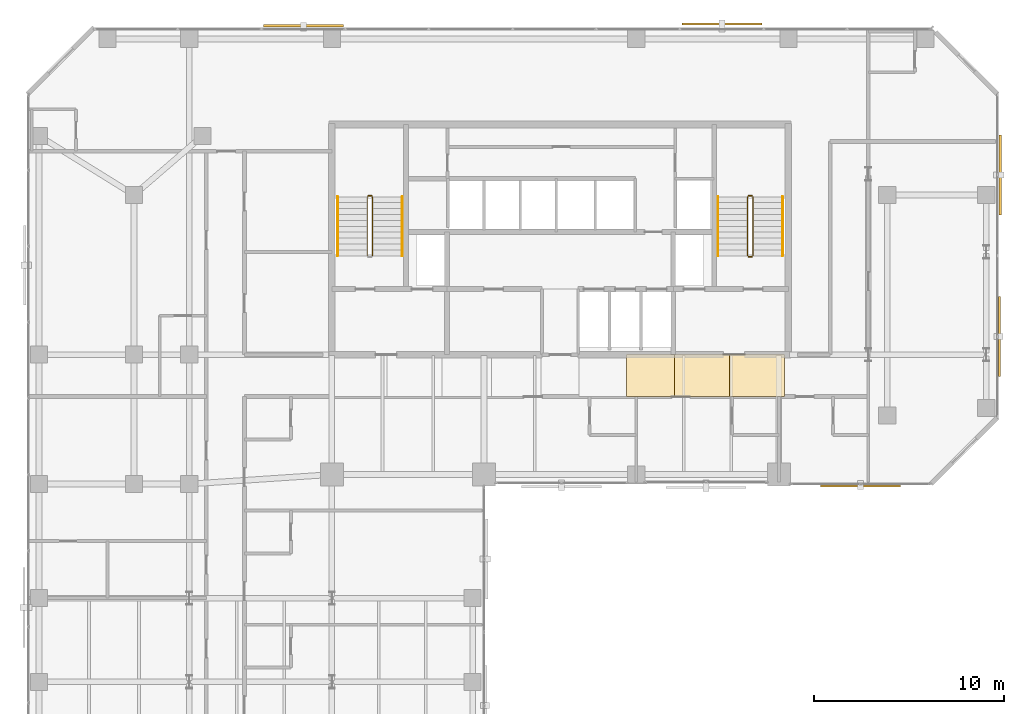
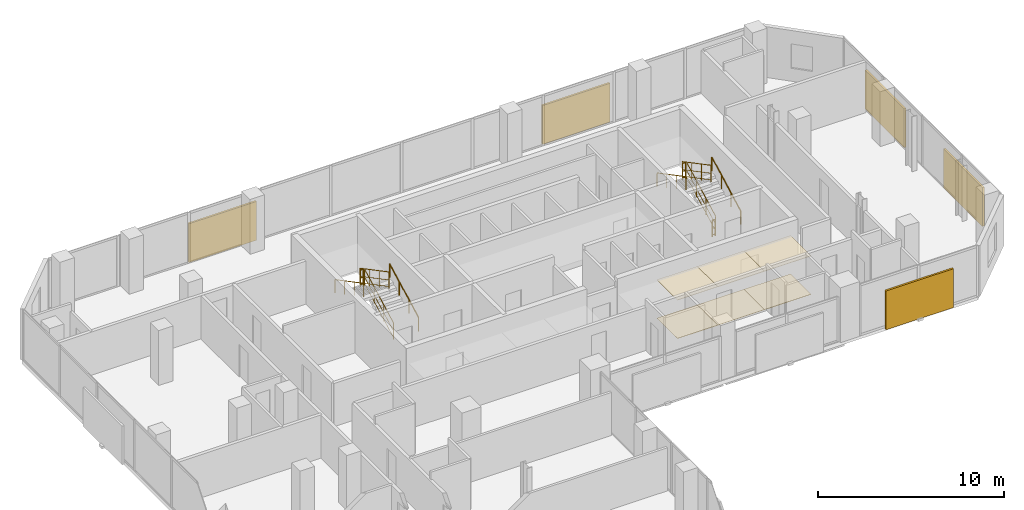
# One storey, part 34 of 34: 11 railings, 6 coverings, 5 shading devices.
"""IFC4 building model written with IfcOpenShell, lengths in metres."""

from ifc_helpers import new_model, si_unit, direction, frame, origin, origin_2d, place, context, subcontext, project, spatial, polyline, rectangle, circle, outline, extrude, material, layer, layer_set, type_object, element, save


model = new_model("IFC4")

# Units and contexts
model_context = context("Model", 3, precision=1e-05, world=origin(), true_north=direction((0.0, 1.0)))
body_context = subcontext(model_context, "Body", "Model", "MODEL_VIEW")
ifc_project = project(units=[si_unit("LENGTHUNIT", "METRE"), si_unit("AREAUNIT", "SQUARE_METRE"), si_unit("VOLUMEUNIT", "CUBIC_METRE"), si_unit("PLANEANGLEUNIT", "RADIAN"), si_unit("MASSUNIT", "GRAM", prefix="KILO")], contexts=[model_context])

# Site, building, storey
site_placement = place(None, origin())
site = spatial("IfcSite", under=ifc_project, at=site_placement, CompositionType="ELEMENT")
building_placement = place(site_placement, origin())
building = spatial("IfcBuilding", under=site, at=building_placement, Name="Catumbela Crestline Tower", CompositionType="ELEMENT")
storey_placement = place(building_placement, frame((0.0, 0.0, 97.2)))
storey = spatial("IfcBuildingStorey", under=building, at=storey_placement, Name="L24", CompositionType="ELEMENT", Elevation=97.2)

# Coverings
ifc_material_1 = material(Name="Mineral-fibre acoustic ceiling")
ifc_layer_1 = layer(ifc_material_1, 0.03, Name="Mineral-fibre acoustic ceiling")
ifc_layer_set_1 = layer_set([ifc_layer_1], Name="Mineral-fibre acoustic ceiling")
covering_type_1 = type_object("IfcCoveringType", Name="CC-AC", PredefinedType="CEILING", material=ifc_layer_set_1)
covering_1_placement = place(storey_placement, frame((0.0, 0.0, 2.52)))
element("IfcCovering", 1, at=covering_1_placement, inside=storey, type_object=covering_type_1, Name="L24 Corridor Acoustic Ceiling Bay 6", PredefinedType="CEILING", context=body_context, shape_type="SweptSolid", body=[
    extrude(outline(polyline([(31.5, 28.6), (34.0, 28.6), (34.0, 30.8), (31.5, 30.8), (31.5, 28.6)])), origin(), (0.0, 0.0, 1.0), 0.03),
])
covering_2_placement = place(storey_placement, frame((0.0, 0.0, 2.52)))
element("IfcCovering", 2, at=covering_2_placement, inside=storey, type_object=covering_type_1, Name="L24 Corridor Acoustic Ceiling Bay 7", PredefinedType="CEILING", context=body_context, shape_type="SweptSolid", body=[
    extrude(outline(polyline([(34.0, 28.6), (36.9, 28.6), (36.9, 30.8), (34.0, 30.8), (34.0, 28.6)])), origin(), (0.0, 0.0, 1.0), 0.03),
])
covering_3_placement = place(storey_placement, frame((0.0, 0.0, 2.52)))
element("IfcCovering", 3, at=covering_3_placement, inside=storey, type_object=covering_type_1, Name="L24 Corridor Acoustic Ceiling Bay 8", PredefinedType="CEILING", context=body_context, shape_type="SweptSolid", body=[
    extrude(outline(polyline([(36.9, 28.6), (39.8, 28.6), (39.8, 30.8), (36.9, 30.8), (36.9, 28.6)])), origin(), (0.0, 0.0, 1.0), 0.03),
])
ifc_material_2 = material(Name="Angolan grey-ochre granite", Category="masonry")
ifc_layer_2 = layer(ifc_material_2, 0.025, Name="Angolan grey-ochre granite")
ifc_layer_set_2 = layer_set([ifc_layer_2], Name="Angolan grey-ochre granite")
covering_type_2 = type_object("IfcCoveringType", Name="CF-GR", PredefinedType="FLOORING", material=ifc_layer_set_2)
covering_4_placement = place(storey_placement, origin())
element("IfcCovering", 4, at=covering_4_placement, inside=storey, type_object=covering_type_2, Name="L24 Corridor Granite Flooring Bay 6", PredefinedType="FLOORING", context=body_context, shape_type="SweptSolid", body=[
    extrude(outline(polyline([(31.5, 28.6), (34.0, 28.6), (34.0, 30.8), (31.5, 30.8), (31.5, 28.6)])), origin(), (0.0, 0.0, 1.0), 0.025),
])
covering_5_placement = place(storey_placement, origin())
element("IfcCovering", 5, at=covering_5_placement, inside=storey, type_object=covering_type_2, Name="L24 Corridor Granite Flooring Bay 7", PredefinedType="FLOORING", context=body_context, shape_type="SweptSolid", body=[
    extrude(outline(polyline([(34.0, 28.6), (36.9, 28.6), (36.9, 30.8), (34.0, 30.8), (34.0, 28.6)])), origin(), (0.0, 0.0, 1.0), 0.025),
])
covering_6_placement = place(storey_placement, origin())
element("IfcCovering", 6, at=covering_6_placement, inside=storey, type_object=covering_type_2, Name="L24 Corridor Granite Flooring Bay 8", PredefinedType="FLOORING", context=body_context, shape_type="SweptSolid", body=[
    extrude(outline(polyline([(36.9, 28.6), (39.8, 28.6), (39.8, 30.8), (36.9, 30.8), (36.9, 28.6)])), origin(), (0.0, 0.0, 1.0), 0.025),
])

# Railings
ifc_material_3 = material(Name="Stainless steel EN 1.4401", Category="steel")
railing_type_1 = type_object("IfcRailingType", Name="RG-1100", PredefinedType="GUARDRAIL", material=ifc_material_3)
railing_1_placement = place(storey_placement, frame((18.14, 36.0, 0.1636)))
element("IfcRailing", 7, at=railing_1_placement, inside=storey, type_object=railing_type_1, Name="L24 ST-01 stair guard 1", PredefinedType="GUARDRAIL", context=body_context, shape_type="SweptSolid", body=[
    extrude(circle(Radius=0.024, at=origin_2d()), frame((0.0, 0.0, 1.076), z_axis=(0.0, 0.884350731049, 0.466823076222), x_axis=(-1.0, 0.0, 0.0)), (0.0, 0.0, 1.0), 3.5054),
    extrude(circle(Radius=0.0156, at=origin_2d()), frame((0.0, 0.0, 0.55), z_axis=(0.0, 0.884350731049, 0.466823076222), x_axis=(-1.0, 0.0, 0.0)), (0.0, 0.0, 1.0), 3.5054),
    extrude(circle(Radius=0.0156, at=origin_2d()), frame((0.0, 0.0, 0.12), z_axis=(0.0, 0.884350731049, 0.466823076222), x_axis=(-1.0, 0.0, 0.0)), (0.0, 0.0, 1.0), 3.5054),
    extrude(circle(Radius=0.021, at=origin_2d()), origin(), (0.0, 0.0, 1.0), 1.052),
    extrude(circle(Radius=0.021, at=origin_2d()), frame((0.0, 1.0333, 0.5455)), (0.0, 0.0, 1.0), 1.052),
    extrude(circle(Radius=0.021, at=origin_2d()), frame((0.0, 2.0667, 1.0909)), (0.0, 0.0, 1.0), 1.052),
    extrude(circle(Radius=0.021, at=origin_2d()), frame((0.0, 3.1, 1.6364)), (0.0, 0.0, 1.0), 1.052),
])
railing_2_placement = place(storey_placement, frame((18.09, 39.15, 1.8)))
element("IfcRailing", 8, at=railing_2_placement, inside=storey, type_object=railing_type_1, Name="L24 ST-01 stair guard 2", PredefinedType="GUARDRAIL", context=body_context, shape_type="SweptSolid", body=[
    extrude(circle(Radius=0.024, at=origin_2d()), frame((0.0, 0.0, 1.076), z_axis=(-1.0, 0.0, 0.0), x_axis=(0.0, -1.0, 0.0)), (0.0, 0.0, 1.0), 0.18),
    extrude(circle(Radius=0.0156, at=origin_2d()), frame((0.0, 0.0, 0.55), z_axis=(-1.0, 0.0, 0.0), x_axis=(0.0, -1.0, 0.0)), (0.0, 0.0, 1.0), 0.18),
    extrude(circle(Radius=0.0156, at=origin_2d()), frame((0.0, 0.0, 0.12), z_axis=(-1.0, 0.0, 0.0), x_axis=(0.0, -1.0, 0.0)), (0.0, 0.0, 1.0), 0.18),
    extrude(circle(Radius=0.021, at=origin_2d()), origin(), (0.0, 0.0, 1.0), 1.052),
    extrude(circle(Radius=0.021, at=origin_2d()), frame((-0.18, 0.0, 0.0)), (0.0, 0.0, 1.0), 1.052),
])
railing_3_placement = place(storey_placement, frame((17.86, 39.1, 1.9636)))
element("IfcRailing", 9, at=railing_3_placement, inside=storey, type_object=railing_type_1, Name="L24 ST-01 stair guard 3", PredefinedType="GUARDRAIL", context=body_context, shape_type="SweptSolid", body=[
    extrude(circle(Radius=0.024, at=origin_2d()), frame((0.0, 0.0, 1.076), z_axis=(0.0, -0.884350731049, 0.466823076222), x_axis=(1.0, 0.0, 0.0)), (0.0, 0.0, 1.0), 3.5054),
    extrude(circle(Radius=0.0156, at=origin_2d()), frame((0.0, 0.0, 0.55), z_axis=(0.0, -0.884350731049, 0.466823076222), x_axis=(1.0, 0.0, 0.0)), (0.0, 0.0, 1.0), 3.5054),
    extrude(circle(Radius=0.0156, at=origin_2d()), frame((0.0, 0.0, 0.12), z_axis=(0.0, -0.884350731049, 0.466823076222), x_axis=(1.0, 0.0, 0.0)), (0.0, 0.0, 1.0), 3.5054),
    extrude(circle(Radius=0.021, at=origin_2d()), origin(), (0.0, 0.0, 1.0), 1.052),
    extrude(circle(Radius=0.021, at=origin_2d()), frame((0.0, -1.0333, 0.5455)), (0.0, 0.0, 1.0), 1.052),
    extrude(circle(Radius=0.021, at=origin_2d()), frame((0.0, -2.0667, 1.0909)), (0.0, 0.0, 1.0), 1.052),
    extrude(circle(Radius=0.021, at=origin_2d()), frame((0.0, -3.1, 1.6364)), (0.0, 0.0, 1.0), 1.052),
])
railing_4_placement = place(storey_placement, frame((38.14, 36.0, 0.1636)))
element("IfcRailing", 10, at=railing_4_placement, inside=storey, type_object=railing_type_1, Name="L24 ST-02 stair guard 1", PredefinedType="GUARDRAIL", context=body_context, shape_type="SweptSolid", body=[
    extrude(circle(Radius=0.024, at=origin_2d()), frame((0.0, 0.0, 1.076), z_axis=(0.0, 0.884350731049, 0.466823076222), x_axis=(-1.0, 0.0, 0.0)), (0.0, 0.0, 1.0), 3.5054),
    extrude(circle(Radius=0.0156, at=origin_2d()), frame((0.0, 0.0, 0.55), z_axis=(0.0, 0.884350731049, 0.466823076222), x_axis=(-1.0, 0.0, 0.0)), (0.0, 0.0, 1.0), 3.5054),
    extrude(circle(Radius=0.0156, at=origin_2d()), frame((0.0, 0.0, 0.12), z_axis=(0.0, 0.884350731049, 0.466823076222), x_axis=(-1.0, 0.0, 0.0)), (0.0, 0.0, 1.0), 3.5054),
    extrude(circle(Radius=0.021, at=origin_2d()), origin(), (0.0, 0.0, 1.0), 1.052),
    extrude(circle(Radius=0.021, at=origin_2d()), frame((0.0, 1.0333, 0.5455)), (0.0, 0.0, 1.0), 1.052),
    extrude(circle(Radius=0.021, at=origin_2d()), frame((0.0, 2.0667, 1.0909)), (0.0, 0.0, 1.0), 1.052),
    extrude(circle(Radius=0.021, at=origin_2d()), frame((0.0, 3.1, 1.6364)), (0.0, 0.0, 1.0), 1.052),
])
railing_5_placement = place(storey_placement, frame((38.09, 39.15, 1.8)))
element("IfcRailing", 11, at=railing_5_placement, inside=storey, type_object=railing_type_1, Name="L24 ST-02 stair guard 2", PredefinedType="GUARDRAIL", context=body_context, shape_type="SweptSolid", body=[
    extrude(circle(Radius=0.024, at=origin_2d()), frame((0.0, 0.0, 1.076), z_axis=(-1.0, 0.0, 0.0), x_axis=(0.0, -1.0, 0.0)), (0.0, 0.0, 1.0), 0.18),
    extrude(circle(Radius=0.0156, at=origin_2d()), frame((0.0, 0.0, 0.55), z_axis=(-1.0, 0.0, 0.0), x_axis=(0.0, -1.0, 0.0)), (0.0, 0.0, 1.0), 0.18),
    extrude(circle(Radius=0.0156, at=origin_2d()), frame((0.0, 0.0, 0.12), z_axis=(-1.0, 0.0, 0.0), x_axis=(0.0, -1.0, 0.0)), (0.0, 0.0, 1.0), 0.18),
    extrude(circle(Radius=0.021, at=origin_2d()), origin(), (0.0, 0.0, 1.0), 1.052),
    extrude(circle(Radius=0.021, at=origin_2d()), frame((-0.18, 0.0, 0.0)), (0.0, 0.0, 1.0), 1.052),
])
railing_6_placement = place(storey_placement, frame((37.86, 39.1, 1.9636)))
element("IfcRailing", 12, at=railing_6_placement, inside=storey, type_object=railing_type_1, Name="L24 ST-02 stair guard 3", PredefinedType="GUARDRAIL", context=body_context, shape_type="SweptSolid", body=[
    extrude(circle(Radius=0.024, at=origin_2d()), frame((0.0, 0.0, 1.076), z_axis=(0.0, -0.884350731049, 0.466823076222), x_axis=(1.0, 0.0, 0.0)), (0.0, 0.0, 1.0), 3.5054),
    extrude(circle(Radius=0.0156, at=origin_2d()), frame((0.0, 0.0, 0.55), z_axis=(0.0, -0.884350731049, 0.466823076222), x_axis=(1.0, 0.0, 0.0)), (0.0, 0.0, 1.0), 3.5054),
    extrude(circle(Radius=0.0156, at=origin_2d()), frame((0.0, 0.0, 0.12), z_axis=(0.0, -0.884350731049, 0.466823076222), x_axis=(1.0, 0.0, 0.0)), (0.0, 0.0, 1.0), 3.5054),
    extrude(circle(Radius=0.021, at=origin_2d()), origin(), (0.0, 0.0, 1.0), 1.052),
    extrude(circle(Radius=0.021, at=origin_2d()), frame((0.0, -1.0333, 0.5455)), (0.0, 0.0, 1.0), 1.052),
    extrude(circle(Radius=0.021, at=origin_2d()), frame((0.0, -2.0667, 1.0909)), (0.0, 0.0, 1.0), 1.052),
    extrude(circle(Radius=0.021, at=origin_2d()), frame((0.0, -3.1, 1.6364)), (0.0, 0.0, 1.0), 1.052),
])
railing_7_placement = place(storey_placement, frame((38.09, 35.95, 0.0)))
element("IfcRailing", 13, at=railing_7_placement, inside=storey, type_object=railing_type_1, Name="L24 ST-02 stair guard 4", PredefinedType="GUARDRAIL", context=body_context, shape_type="SweptSolid", body=[
    extrude(circle(Radius=0.024, at=origin_2d()), frame((0.0, 0.0, 1.076), z_axis=(-1.0, 0.0, 0.0), x_axis=(0.0, -1.0, 0.0)), (0.0, 0.0, 1.0), 0.18),
    extrude(circle(Radius=0.0156, at=origin_2d()), frame((0.0, 0.0, 0.55), z_axis=(-1.0, 0.0, 0.0), x_axis=(0.0, -1.0, 0.0)), (0.0, 0.0, 1.0), 0.18),
    extrude(circle(Radius=0.0156, at=origin_2d()), frame((0.0, 0.0, 0.12), z_axis=(-1.0, 0.0, 0.0), x_axis=(0.0, -1.0, 0.0)), (0.0, 0.0, 1.0), 0.18),
    extrude(circle(Radius=0.021, at=origin_2d()), origin(), (0.0, 0.0, 1.0), 1.052),
    extrude(circle(Radius=0.021, at=origin_2d()), frame((-0.18, 0.0, 0.0)), (0.0, 0.0, 1.0), 1.052),
])
railing_type_2 = type_object("IfcRailingType", Name="RH-0900", PredefinedType="HANDRAIL", material=ifc_material_3)
railing_8_placement = place(storey_placement, frame((19.7, 36.0, 0.1636)))
element("IfcRailing", 14, at=railing_8_placement, inside=storey, type_object=railing_type_2, Name="L24 ST-01 stair handrail 1", PredefinedType="HANDRAIL", context=body_context, shape_type="SweptSolid", body=[
    extrude(circle(Radius=0.024, at=origin_2d()), frame((0.0, 0.0, 0.876), z_axis=(0.0, 0.884350731049, 0.466823076222), x_axis=(-1.0, 0.0, 0.0)), (0.0, 0.0, 1.0), 3.5054),
    extrude(circle(Radius=0.021, at=origin_2d()), origin(), (0.0, 0.0, 1.0), 0.852),
    extrude(circle(Radius=0.021, at=origin_2d()), frame((0.0, 1.0333, 0.5455)), (0.0, 0.0, 1.0), 0.852),
    extrude(circle(Radius=0.021, at=origin_2d()), frame((0.0, 2.0667, 1.0909)), (0.0, 0.0, 1.0), 0.852),
    extrude(circle(Radius=0.021, at=origin_2d()), frame((0.0, 3.1, 1.6364)), (0.0, 0.0, 1.0), 0.852),
])
railing_9_placement = place(storey_placement, frame((16.3, 39.1, 1.9636)))
element("IfcRailing", 15, at=railing_9_placement, inside=storey, type_object=railing_type_2, Name="L24 ST-01 stair handrail 2", PredefinedType="HANDRAIL", context=body_context, shape_type="SweptSolid", body=[
    extrude(circle(Radius=0.024, at=origin_2d()), frame((0.0, 0.0, 0.876), z_axis=(0.0, -0.884350731049, 0.466823076222), x_axis=(1.0, 0.0, 0.0)), (0.0, 0.0, 1.0), 3.5054),
    extrude(circle(Radius=0.021, at=origin_2d()), origin(), (0.0, 0.0, 1.0), 0.852),
    extrude(circle(Radius=0.021, at=origin_2d()), frame((0.0, -1.0333, 0.5455)), (0.0, 0.0, 1.0), 0.852),
    extrude(circle(Radius=0.021, at=origin_2d()), frame((0.0, -2.0667, 1.0909)), (0.0, 0.0, 1.0), 0.852),
    extrude(circle(Radius=0.021, at=origin_2d()), frame((0.0, -3.1, 1.6364)), (0.0, 0.0, 1.0), 0.852),
])
railing_10_placement = place(storey_placement, frame((39.7, 36.0, 0.1636)))
element("IfcRailing", 16, at=railing_10_placement, inside=storey, type_object=railing_type_2, Name="L24 ST-02 stair handrail 1", PredefinedType="HANDRAIL", context=body_context, shape_type="SweptSolid", body=[
    extrude(circle(Radius=0.024, at=origin_2d()), frame((0.0, 0.0, 0.876), z_axis=(0.0, 0.884350731049, 0.466823076222), x_axis=(-1.0, 0.0, 0.0)), (0.0, 0.0, 1.0), 3.5054),
    extrude(circle(Radius=0.021, at=origin_2d()), origin(), (0.0, 0.0, 1.0), 0.852),
    extrude(circle(Radius=0.021, at=origin_2d()), frame((0.0, 1.0333, 0.5455)), (0.0, 0.0, 1.0), 0.852),
    extrude(circle(Radius=0.021, at=origin_2d()), frame((0.0, 2.0667, 1.0909)), (0.0, 0.0, 1.0), 0.852),
    extrude(circle(Radius=0.021, at=origin_2d()), frame((0.0, 3.1, 1.6364)), (0.0, 0.0, 1.0), 0.852),
])
railing_11_placement = place(storey_placement, frame((36.3, 39.1, 1.9636)))
element("IfcRailing", 17, at=railing_11_placement, inside=storey, type_object=railing_type_2, Name="L24 ST-02 stair handrail 2", PredefinedType="HANDRAIL", context=body_context, shape_type="SweptSolid", body=[
    extrude(circle(Radius=0.024, at=origin_2d()), frame((0.0, 0.0, 0.876), z_axis=(0.0, -0.884350731049, 0.466823076222), x_axis=(1.0, 0.0, 0.0)), (0.0, 0.0, 1.0), 3.5054),
    extrude(circle(Radius=0.021, at=origin_2d()), origin(), (0.0, 0.0, 1.0), 0.852),
    extrude(circle(Radius=0.021, at=origin_2d()), frame((0.0, -1.0333, 0.5455)), (0.0, 0.0, 1.0), 0.852),
    extrude(circle(Radius=0.021, at=origin_2d()), frame((0.0, -2.0667, 1.0909)), (0.0, 0.0, 1.0), 0.852),
    extrude(circle(Radius=0.021, at=origin_2d()), frame((0.0, -3.1, 1.6364)), (0.0, 0.0, 1.0), 0.852),
])

# Shading devices
ifc_material_4 = material(Name="Extruded terracotta ceramic", Category="masonry")
shading_device_type_1 = type_object("IfcShadingDeviceType", Name="ST-180", PredefinedType="USERDEFINED", material=ifc_material_4)
for number, where, z_axis, x_axis, name in (
    (18, (43.8, 23.901, -0.1), (0.0, 0.0, 1.0), (1.0, 0.0, 0.0), "L24 Perforated Terracotta Solar Screen 243 (180 mm)"),
    (19, (51.099, 31.75, -0.1), (0.0, 0.0, 1.0), (0.0, 1.0, 0.0), "L24 Perforated Terracotta Solar Screen 244 (180 mm)"),
    (20, (14.5, 48.099, -0.1), (0.0, 0.0, 1.0), (-1.0, 0.0, 0.0), "L24 Perforated Terracotta Solar Screen 247 (180 mm)"),
):
    element("IfcShadingDevice", number, at=place(storey_placement, frame(where, z_axis=z_axis, x_axis=x_axis)), inside=storey, type_object=shading_device_type_1, Name=name, ObjectType="SCREEN", PredefinedType="USERDEFINED", context=body_context, shape_type="SweptSolid", body=[
        extrude(rectangle(XDim=4.2, YDim=0.12, at=origin_2d()), origin(), (0.0, 0.0, 1.0), 2.55),
    ])
shading_device_type_2 = type_object("IfcShadingDeviceType", Name="ST-260", PredefinedType="USERDEFINED", material=ifc_material_4)
shading_device_1_placement = place(storey_placement, frame((51.143, 40.25, -0.1), z_axis=(0.0, 0.0, 1.0), x_axis=(0.0, 1.0, 0.0)))
element("IfcShadingDevice", 21, at=shading_device_1_placement, inside=storey, type_object=shading_device_type_2, Name="L24 Perforated Terracotta Solar Screen 245 (260 mm)", ObjectType="SCREEN", PredefinedType="USERDEFINED", context=body_context, shape_type="SweptSolid", body=[
    extrude(rectangle(XDim=4.2, YDim=0.12, at=origin_2d()), origin(), (0.0, 0.0, 1.0), 2.55),
])
shading_device_type_3 = type_object("IfcShadingDeviceType", Name="ST-340", PredefinedType="USERDEFINED", material=ifc_material_4)
shading_device_2_placement = place(storey_placement, frame((36.5, 48.187, -0.1), z_axis=(0.0, 0.0, 1.0), x_axis=(-1.0, 0.0, 0.0)))
element("IfcShadingDevice", 22, at=shading_device_2_placement, inside=storey, type_object=shading_device_type_3, Name="L24 Perforated Terracotta Solar Screen 246 (340 mm)", ObjectType="SCREEN", PredefinedType="USERDEFINED", context=body_context, shape_type="SweptSolid", body=[
    extrude(rectangle(XDim=4.2, YDim=0.12, at=origin_2d()), origin(), (0.0, 0.0, 1.0), 2.55),
])

save(model, "model.ifc")
